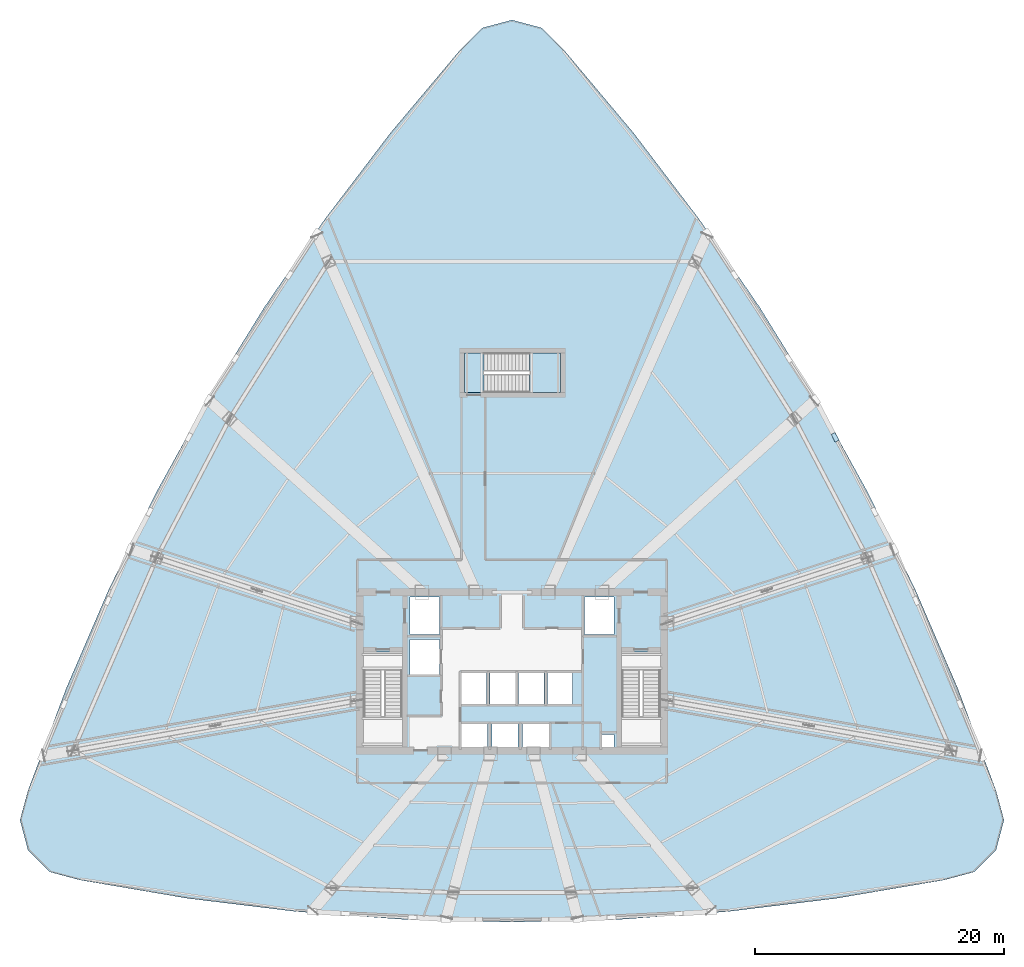
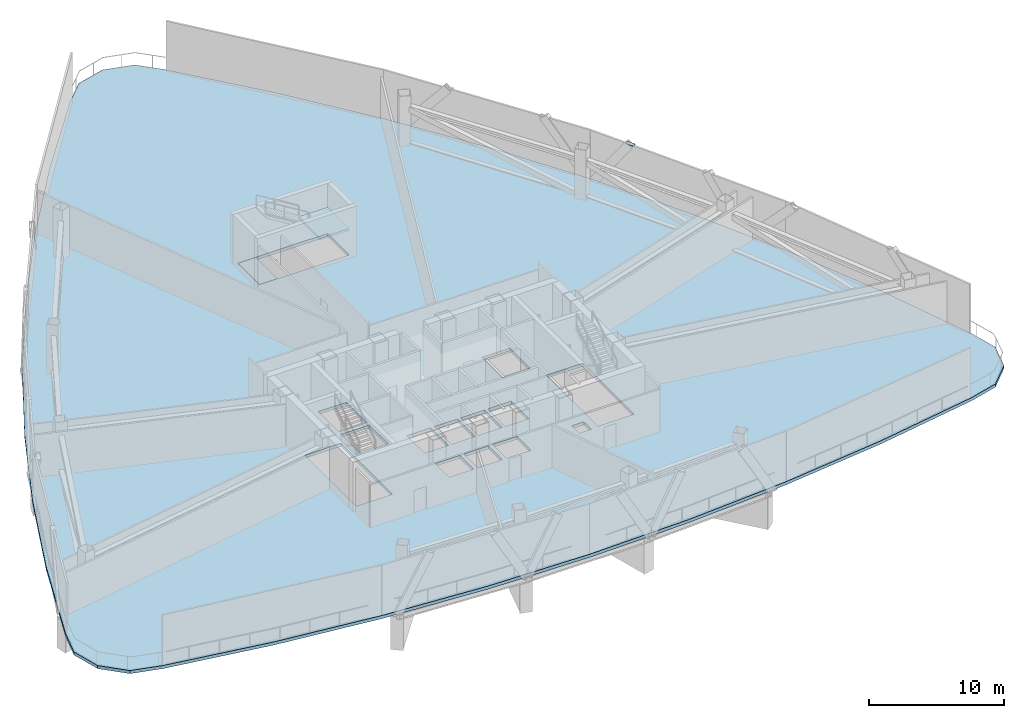
# One storey, part 7 of 17: 3 slabs, 1 plate, 1 element without a shape of its own.
"""IFC4 building model written with IfcOpenShell, lengths in metres."""

from ifc_helpers import new_model, si_unit, direction, frame, origin, origin_2d, place, context, subcontext, project, spatial, polyline, rectangle, outline, extrude, source, transform, mapped, material, layer, layer_set, type_object, element, aggregate, save


model = new_model("IFC4")

# Units and contexts
model_context = context("Model", 3, precision=1e-05, world=origin(), true_north=direction((0.0, 1.0)))
body_context = subcontext(model_context, "Body", "Model", "MODEL_VIEW")
ifc_project = project(units=[si_unit("LENGTHUNIT", "METRE"), si_unit("AREAUNIT", "SQUARE_METRE"), si_unit("VOLUMEUNIT", "CUBIC_METRE"), si_unit("PLANEANGLEUNIT", "RADIAN"), si_unit("MASSUNIT", "GRAM", prefix="KILO"), si_unit("THERMODYNAMICTEMPERATUREUNIT", "KELVIN"), si_unit("POWERUNIT", "WATT")], contexts=[model_context])

# Site, building, storey
site_placement = place(None, origin())
site = spatial("IfcSite", under=ifc_project, at=site_placement, CompositionType="ELEMENT")
building_placement = place(site_placement, origin())
building = spatial("IfcBuilding", under=site, at=building_placement, Name="Yunzhuo Pagoda Commons", CompositionType="ELEMENT")
storey_placement = place(building_placement, frame((0.0, 0.0, 176.159912109375)))
storey = spatial("IfcBuildingStorey", under=building, at=storey_placement, Name="L44", CompositionType="ELEMENT", Elevation=176.159912109375)

# Stair, slabs
ifc_material_1 = material(Name="Concrete C40", Category="concrete")
stair_type = type_object("IfcStairType", Name="ST-C3 North Tower Smokeproof Stair ST3", PredefinedType="HALF_TURN_STAIR", material=ifc_material_1)
stair_placement = place(storey_placement, origin())
stair = element("IfcStair", 1, at=stair_placement, inside=storey, type_object=stair_type, Name="L44 North tower smokeproof stair ST3", PredefinedType="HALF_TURN_STAIR")
ifc_layer_1 = layer(ifc_material_1, 0.2041015625)
ifc_layer_set_1 = layer_set([ifc_layer_1], Name="Concrete C40")
slab_type_1 = type_object("IfcSlabType", Name="SL-LND5 North Landing Slab 204", PredefinedType="LANDING", material=ifc_layer_set_1)
slab_1_placement = place(storey_placement, frame((0.0, 0.0, 2.2001953125)))
slab_1 = element("IfcSlab", 2, at=slab_1_placement, type_object=slab_type_1, Name="ST3 landing 1", PredefinedType="LANDING", context=body_context, shape_type="SweptSolid", body=[
    extrude(outline(polyline([(49.389892578125, 56.199951171875), (51.89990234375, 56.199951171875), (51.89990234375, 59.39990234375), (49.389892578125, 59.39990234375), (49.389892578125, 56.199951171875)])), origin(), (0.0, 0.0, 1.0), 0.199951171875),
])
slab_2_placement = place(storey_placement, frame((0.0, 0.0, -0.199951171875)))
slab_2 = element("IfcSlab", 3, at=slab_2_placement, type_object=slab_type_1, Name="ST3 floor landing L44", PredefinedType="LANDING", context=body_context, shape_type="SweptSolid", body=[
    extrude(outline(polyline([(44.199951171875, 56.199951171875), (45.75, 56.199951171875), (45.75, 59.39990234375), (44.199951171875, 59.39990234375), (44.199951171875, 56.199951171875)])), origin(), (0.0, 0.0, 1.0), 0.199951171875),
])
aggregate(stair, [slab_1, slab_2])

# Slab
ifc_layer_2 = layer(ifc_material_1, 0.280029296875)
ifc_layer_set_2 = layer_set([ifc_layer_2], Name="Concrete C40")
slab_type_2 = type_object("IfcSlabType", Name="SL-POD Podium & Refuge Floor Slab 280", PredefinedType="FLOOR", material=ifc_layer_set_2)
slab_3_placement = place(storey_placement, frame((0.0, 0.0, -0.280029296875)))
element("IfcSlab", 4, at=slab_3_placement, inside=storey, type_object=slab_type_2, Name="L44 structural floor slab", PredefinedType="FLOOR", context=body_context, shape_type="SweptSolid", body=[
    extrude(outline(polyline([(12.25390625, 32.49609375), (15.67626953125, 40.45068359375), (19.462890625, 48.1923828125), (23.614013671875, 55.7216796875), (28.129150390625, 63.038330078125), (33.00830078125, 70.142333984375), (38.251953125, 77.03369140625), (43.859619140625, 83.712646484375), (45.61279296875, 85.453369140625), (48.0, 86.090087890625), (50.38720703125, 85.453369140625), (52.140380859375, 83.712646484375), (57.748046875, 77.03369140625), (62.99169921875, 70.142333984375), (67.870849609375, 63.038330078125), (72.385986328125, 55.7216796875), (76.537109375, 48.1923828125), (80.32373046875, 40.45068359375), (83.74609375, 32.49609375), (86.8046875, 24.3291015625), (87.45849609375, 21.929443359375), (86.82177734375, 19.525146484375), (85.06640625, 17.76318359375), (82.664306640625, 17.1181640625), (73.998291015625, 15.64208984375), (65.33203125, 14.587890625), (56.666015625, 13.955322265625), (48.0, 13.74462890625), (39.333984375, 13.955322265625), (30.667724609375, 14.587890625), (22.001708984375, 15.64208984375), (13.335693359375, 17.1181640625), (10.93359375, 17.76318359375), (9.17822265625, 19.525146484375), (8.54150390625, 21.929443359375), (9.1953125, 24.3291015625), (12.25390625, 32.49609375)]), holes=[polyline([(46.050048828125, 29.64990234375), (43.949951171875, 29.64990234375), (43.949951171875, 27.60009765625), (46.050048828125, 27.60009765625), (46.050048828125, 29.64990234375)]), polyline([(48.5, 27.60009765625), (48.5, 29.64990234375), (46.39990234375, 29.64990234375), (46.39990234375, 27.60009765625), (48.5, 27.60009765625)]), polyline([(36.10009765625, 27.800048828125), (39.199951171875, 27.800048828125), (39.199951171875, 35.39990234375), (36.10009765625, 35.39990234375), (36.10009765625, 27.800048828125)]), polyline([(45.969970703125, 31.199951171875), (45.969970703125, 33.800048828125), (43.929931640625, 33.800048828125), (43.929931640625, 31.199951171875), (45.969970703125, 31.199951171875)]), polyline([(48.27001953125, 31.199951171875), (48.27001953125, 33.800048828125), (46.22998046875, 33.800048828125), (46.22998046875, 31.199951171875), (48.27001953125, 31.199951171875)]), polyline([(42.199951171875, 33.60009765625), (42.199951171875, 36.39990234375), (39.800048828125, 36.39990234375), (39.800048828125, 33.60009765625), (42.199951171875, 33.60009765625)]), polyline([(42.199951171875, 36.800048828125), (42.199951171875, 39.800048828125), (39.800048828125, 39.800048828125), (39.800048828125, 36.800048828125), (42.199951171875, 36.800048828125)]), polyline([(56.179931640625, 28.800048828125), (55.179931640625, 28.800048828125), (55.179931640625, 27.699951171875), (56.179931640625, 27.699951171875), (56.179931640625, 28.800048828125)]), polyline([(50.949951171875, 27.60009765625), (50.949951171875, 29.64990234375), (48.85009765625, 29.64990234375), (48.85009765625, 27.60009765625), (50.949951171875, 27.60009765625)]), polyline([(56.800048828125, 27.800048828125), (59.89990234375, 27.800048828125), (59.89990234375, 35.39990234375), (56.800048828125, 35.39990234375), (56.800048828125, 27.800048828125)]), polyline([(50.570068359375, 31.199951171875), (50.570068359375, 33.800048828125), (48.530029296875, 33.800048828125), (48.530029296875, 31.199951171875), (50.570068359375, 31.199951171875)]), polyline([(52.8701171875, 31.199951171875), (52.8701171875, 33.800048828125), (50.830078125, 33.800048828125), (50.830078125, 31.199951171875), (52.8701171875, 31.199951171875)]), polyline([(56.199951171875, 36.800048828125), (56.199951171875, 39.800048828125), (53.800048828125, 39.800048828125), (53.800048828125, 36.800048828125), (56.199951171875, 36.800048828125)]), polyline([(51.89990234375, 56.199951171875), (51.89990234375, 59.39990234375), (44.199951171875, 59.39990234375), (44.199951171875, 56.199951171875), (51.89990234375, 56.199951171875)])]), origin(), (0.0, 0.0, 1.0), 0.280029296875),
])

# Plate
ifc_material_2 = material(Name="Structural steel Q355B", Category="steel")
ifc_layer_3 = layer(ifc_material_2, 0.028076171875)
ifc_layer_set_3 = layer_set([ifc_layer_3], Name="Structural steel Q355B")
plate_type = type_object("IfcPlateType", Name="SP-ND1 Lattice Node Cap Plate 800x500x28", PredefinedType="USERDEFINED", material=ifc_layer_set_3)
shared_shape = source(origin(), body_context, "Body", "SweptSolid", [
    extrude(rectangle(XDim=0.699951171875, YDim=0.35009765625, at=origin_2d()), origin(), (0.0, 0.0, 1.0), 0.035888671875),
])
plate_placement = place(storey_placement, frame((73.912841796875, 52.623046875, 4.501953125), z_axis=(0.0, 0.0, 1.0), x_axis=(-0.46678800242, 0.884369244601, 0.0)))
element("IfcPlate", 5, at=plate_placement, inside=storey, type_object=plate_type, Name="L44 setback lattice tie plate F2.2R", ObjectType="STIFFENER_PLATE", PredefinedType="USERDEFINED", context=body_context, shape_type="MappedRepresentation", body=[
    mapped(shared_shape, transform((0.0, 0.0, 0.0), scale=1.0)),
])

save(model, "model.ifc")
